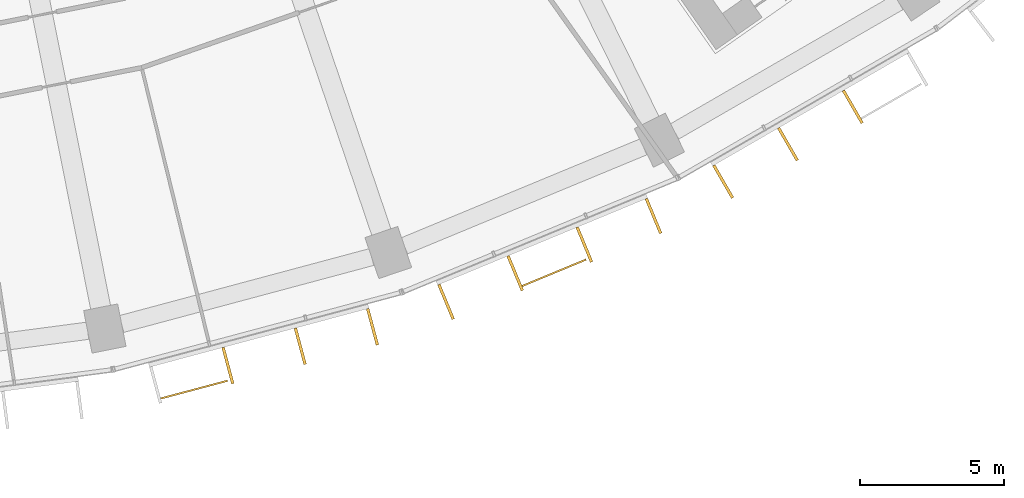
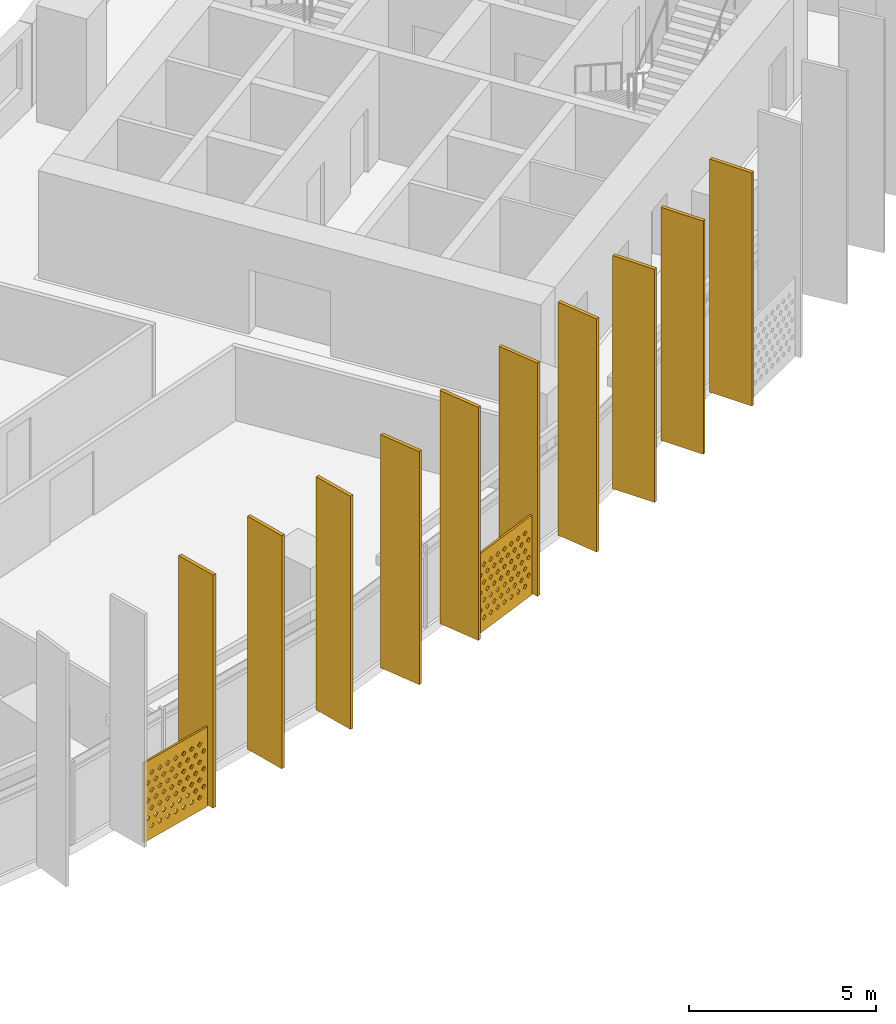
# One storey, part 28 of 30: 12 shading devices.
"""IFC4 building model written with IfcOpenShell, lengths in metres."""

from ifc_helpers import new_model, si_unit, direction, frame, origin, origin_2d, place, context, subcontext, project, spatial, polyline, rectangle, outline, extrude, material, material_profile, profile_set, type_object, element, save


model = new_model("IFC4")

# Units and contexts
model_context = context("Model", 3, precision=1e-05, world=origin(), true_north=direction((0.0, 1.0)))
body_context = subcontext(model_context, "Body", "Model", "MODEL_VIEW")
ifc_project = project(units=[si_unit("LENGTHUNIT", "METRE"), si_unit("AREAUNIT", "SQUARE_METRE"), si_unit("VOLUMEUNIT", "CUBIC_METRE"), si_unit("PLANEANGLEUNIT", "RADIAN"), si_unit("MASSUNIT", "GRAM", prefix="KILO")], contexts=[model_context])

# Site, building, storey
site_placement = place(None, origin())
site = spatial("IfcSite", under=ifc_project, at=site_placement, CompositionType="ELEMENT")
building_placement = place(site_placement, origin())
building = spatial("IfcBuilding", under=site, at=building_placement, Name="Qamariyya Broadcast Tower", CompositionType="ELEMENT")
storey_placement = place(building_placement, frame((0.0, 0.0, 117.699951171875)))
storey = spatial("IfcBuildingStorey", under=building, at=storey_placement, Name="L26", CompositionType="ELEMENT", Elevation=117.699951171875)

# Shading devices
ifc_material_1 = material(Name="Perforated glazed terracotta", Category="masonry")
ifc_material_profile_1 = material_profile(ifc_material_1, outline(polyline([(-1.199951171875, -1.300048828125), (1.199951171875, -1.300048828125), (1.199951171875, 1.300048828125), (-1.199951171875, 1.300048828125), (-1.199951171875, -1.300048828125)]), holes=[polyline([(-0.81494140625, -0.86669921875), (-0.89990234375, -0.78173828125), (-0.985107421875, -0.86669921875), (-0.89990234375, -0.95166015625), (-0.81494140625, -0.86669921875)]), polyline([(-0.514892578125, -0.86669921875), (-0.60009765625, -0.78173828125), (-0.68505859375, -0.86669921875), (-0.60009765625, -0.95166015625), (-0.514892578125, -0.86669921875)]), polyline([(-0.215087890625, -0.86669921875), (-0.300048828125, -0.78173828125), (-0.385009765625, -0.86669921875), (-0.300048828125, -0.95166015625), (-0.215087890625, -0.86669921875)]), polyline([(0.0849609375, -0.86669921875), (0.0, -0.78173828125), (-0.0849609375, -0.86669921875), (0.0, -0.95166015625), (0.0849609375, -0.86669921875)]), polyline([(0.385009765625, -0.86669921875), (0.300048828125, -0.78173828125), (0.215087890625, -0.86669921875), (0.300048828125, -0.95166015625), (0.385009765625, -0.86669921875)]), polyline([(0.68505859375, -0.86669921875), (0.60009765625, -0.78173828125), (0.514892578125, -0.86669921875), (0.60009765625, -0.95166015625), (0.68505859375, -0.86669921875)]), polyline([(0.985107421875, -0.86669921875), (0.89990234375, -0.78173828125), (0.81494140625, -0.86669921875), (0.89990234375, -0.95166015625), (0.985107421875, -0.86669921875)]), polyline([(-0.965087890625, -0.577880859375), (-1.050048828125, -0.49267578125), (-1.135009765625, -0.577880859375), (-1.050048828125, -0.662841796875), (-0.965087890625, -0.577880859375)]), polyline([(-0.6650390625, -0.577880859375), (-0.75, -0.49267578125), (-0.8349609375, -0.577880859375), (-0.75, -0.662841796875), (-0.6650390625, -0.577880859375)]), polyline([(-0.364990234375, -0.577880859375), (-0.449951171875, -0.49267578125), (-0.534912109375, -0.577880859375), (-0.449951171875, -0.662841796875), (-0.364990234375, -0.577880859375)]), polyline([(-0.06494140625, -0.577880859375), (-0.14990234375, -0.49267578125), (-0.235107421875, -0.577880859375), (-0.14990234375, -0.662841796875), (-0.06494140625, -0.577880859375)]), polyline([(0.235107421875, -0.577880859375), (0.14990234375, -0.49267578125), (0.06494140625, -0.577880859375), (0.14990234375, -0.662841796875), (0.235107421875, -0.577880859375)]), polyline([(0.534912109375, -0.577880859375), (0.449951171875, -0.49267578125), (0.364990234375, -0.577880859375), (0.449951171875, -0.662841796875), (0.534912109375, -0.577880859375)]), polyline([(0.8349609375, -0.577880859375), (0.75, -0.49267578125), (0.6650390625, -0.577880859375), (0.75, -0.662841796875), (0.8349609375, -0.577880859375)]), polyline([(1.135009765625, -0.577880859375), (1.050048828125, -0.49267578125), (0.965087890625, -0.577880859375), (1.050048828125, -0.662841796875), (1.135009765625, -0.577880859375)]), polyline([(-0.81494140625, -0.288818359375), (-0.89990234375, -0.203857421875), (-0.985107421875, -0.288818359375), (-0.89990234375, -0.373779296875), (-0.81494140625, -0.288818359375)]), polyline([(-0.514892578125, -0.288818359375), (-0.60009765625, -0.203857421875), (-0.68505859375, -0.288818359375), (-0.60009765625, -0.373779296875), (-0.514892578125, -0.288818359375)]), polyline([(-0.215087890625, -0.288818359375), (-0.300048828125, -0.203857421875), (-0.385009765625, -0.288818359375), (-0.300048828125, -0.373779296875), (-0.215087890625, -0.288818359375)]), polyline([(0.0849609375, -0.288818359375), (0.0, -0.203857421875), (-0.0849609375, -0.288818359375), (0.0, -0.373779296875), (0.0849609375, -0.288818359375)]), polyline([(0.385009765625, -0.288818359375), (0.300048828125, -0.203857421875), (0.215087890625, -0.288818359375), (0.300048828125, -0.373779296875), (0.385009765625, -0.288818359375)]), polyline([(0.68505859375, -0.288818359375), (0.60009765625, -0.203857421875), (0.514892578125, -0.288818359375), (0.60009765625, -0.373779296875), (0.68505859375, -0.288818359375)]), polyline([(0.985107421875, -0.288818359375), (0.89990234375, -0.203857421875), (0.81494140625, -0.288818359375), (0.89990234375, -0.373779296875), (0.985107421875, -0.288818359375)]), polyline([(-0.965087890625, 0.0), (-1.050048828125, 0.0849609375), (-1.135009765625, 0.0), (-1.050048828125, -0.0849609375), (-0.965087890625, 0.0)]), polyline([(-0.6650390625, 0.0), (-0.75, 0.0849609375), (-0.8349609375, 0.0), (-0.75, -0.0849609375), (-0.6650390625, 0.0)]), polyline([(-0.364990234375, 0.0), (-0.449951171875, 0.0849609375), (-0.534912109375, 0.0), (-0.449951171875, -0.0849609375), (-0.364990234375, 0.0)]), polyline([(-0.06494140625, 0.0), (-0.14990234375, 0.0849609375), (-0.235107421875, 0.0), (-0.14990234375, -0.0849609375), (-0.06494140625, 0.0)]), polyline([(0.235107421875, 0.0), (0.14990234375, 0.0849609375), (0.06494140625, 0.0), (0.14990234375, -0.0849609375), (0.235107421875, 0.0)]), polyline([(0.534912109375, 0.0), (0.449951171875, 0.0849609375), (0.364990234375, 0.0), (0.449951171875, -0.0849609375), (0.534912109375, 0.0)]), polyline([(0.8349609375, 0.0), (0.75, 0.0849609375), (0.6650390625, 0.0), (0.75, -0.0849609375), (0.8349609375, 0.0)]), polyline([(1.135009765625, 0.0), (1.050048828125, 0.0849609375), (0.965087890625, 0.0), (1.050048828125, -0.0849609375), (1.135009765625, 0.0)]), polyline([(-0.81494140625, 0.288818359375), (-0.89990234375, 0.373779296875), (-0.985107421875, 0.288818359375), (-0.89990234375, 0.203857421875), (-0.81494140625, 0.288818359375)]), polyline([(-0.514892578125, 0.288818359375), (-0.60009765625, 0.373779296875), (-0.68505859375, 0.288818359375), (-0.60009765625, 0.203857421875), (-0.514892578125, 0.288818359375)]), polyline([(-0.215087890625, 0.288818359375), (-0.300048828125, 0.373779296875), (-0.385009765625, 0.288818359375), (-0.300048828125, 0.203857421875), (-0.215087890625, 0.288818359375)]), polyline([(0.0849609375, 0.288818359375), (0.0, 0.373779296875), (-0.0849609375, 0.288818359375), (0.0, 0.203857421875), (0.0849609375, 0.288818359375)]), polyline([(0.385009765625, 0.288818359375), (0.300048828125, 0.373779296875), (0.215087890625, 0.288818359375), (0.300048828125, 0.203857421875), (0.385009765625, 0.288818359375)]), polyline([(0.68505859375, 0.288818359375), (0.60009765625, 0.373779296875), (0.514892578125, 0.288818359375), (0.60009765625, 0.203857421875), (0.68505859375, 0.288818359375)]), polyline([(0.985107421875, 0.288818359375), (0.89990234375, 0.373779296875), (0.81494140625, 0.288818359375), (0.89990234375, 0.203857421875), (0.985107421875, 0.288818359375)]), polyline([(-0.965087890625, 0.577880859375), (-1.050048828125, 0.662841796875), (-1.135009765625, 0.577880859375), (-1.050048828125, 0.49267578125), (-0.965087890625, 0.577880859375)]), polyline([(-0.6650390625, 0.577880859375), (-0.75, 0.662841796875), (-0.8349609375, 0.577880859375), (-0.75, 0.49267578125), (-0.6650390625, 0.577880859375)]), polyline([(-0.364990234375, 0.577880859375), (-0.449951171875, 0.662841796875), (-0.534912109375, 0.577880859375), (-0.449951171875, 0.49267578125), (-0.364990234375, 0.577880859375)]), polyline([(-0.06494140625, 0.577880859375), (-0.14990234375, 0.662841796875), (-0.235107421875, 0.577880859375), (-0.14990234375, 0.49267578125), (-0.06494140625, 0.577880859375)]), polyline([(0.235107421875, 0.577880859375), (0.14990234375, 0.662841796875), (0.06494140625, 0.577880859375), (0.14990234375, 0.49267578125), (0.235107421875, 0.577880859375)]), polyline([(0.534912109375, 0.577880859375), (0.449951171875, 0.662841796875), (0.364990234375, 0.577880859375), (0.449951171875, 0.49267578125), (0.534912109375, 0.577880859375)]), polyline([(0.8349609375, 0.577880859375), (0.75, 0.662841796875), (0.6650390625, 0.577880859375), (0.75, 0.49267578125), (0.8349609375, 0.577880859375)]), polyline([(1.135009765625, 0.577880859375), (1.050048828125, 0.662841796875), (0.965087890625, 0.577880859375), (1.050048828125, 0.49267578125), (1.135009765625, 0.577880859375)]), polyline([(-0.81494140625, 0.86669921875), (-0.89990234375, 0.95166015625), (-0.985107421875, 0.86669921875), (-0.89990234375, 0.78173828125), (-0.81494140625, 0.86669921875)]), polyline([(-0.514892578125, 0.86669921875), (-0.60009765625, 0.95166015625), (-0.68505859375, 0.86669921875), (-0.60009765625, 0.78173828125), (-0.514892578125, 0.86669921875)]), polyline([(-0.215087890625, 0.86669921875), (-0.300048828125, 0.95166015625), (-0.385009765625, 0.86669921875), (-0.300048828125, 0.78173828125), (-0.215087890625, 0.86669921875)]), polyline([(0.0849609375, 0.86669921875), (0.0, 0.95166015625), (-0.0849609375, 0.86669921875), (0.0, 0.78173828125), (0.0849609375, 0.86669921875)]), polyline([(0.385009765625, 0.86669921875), (0.300048828125, 0.95166015625), (0.215087890625, 0.86669921875), (0.300048828125, 0.78173828125), (0.385009765625, 0.86669921875)]), polyline([(0.68505859375, 0.86669921875), (0.60009765625, 0.95166015625), (0.514892578125, 0.86669921875), (0.60009765625, 0.78173828125), (0.68505859375, 0.86669921875)]), polyline([(0.985107421875, 0.86669921875), (0.89990234375, 0.95166015625), (0.81494140625, 0.86669921875), (0.89990234375, 0.78173828125), (0.985107421875, 0.86669921875)])]))
ifc_profile_set_1 = profile_set([ifc_material_profile_1], Name="Perforated glazed terracotta")
shading_device_type_1 = type_object("IfcShadingDeviceType", Name="Perforated terracotta screen 2400 x 2600", PredefinedType="USERDEFINED", material=ifc_profile_set_1)
shading_device_1_placement = place(storey_placement, frame((18.25927734375, -78.343994140625, 1.35009765625), z_axis=(0.256901156343, -0.966437683387, 0.0), x_axis=(0.966437683387, 0.256901156343, 0.0)))
element("IfcShadingDevice", 1, at=shading_device_1_placement, inside=storey, type_object=shading_device_type_1, Name="e-scr-L26-11-0", ObjectType="SCREEN", PredefinedType="USERDEFINED", context=body_context, shape_type="SweptSolid", body=[
    extrude(outline(polyline([(-1.199951171875, -1.300048828125), (1.199951171875, -1.300048828125), (1.199951171875, 1.300048828125), (-1.199951171875, 1.300048828125), (-1.199951171875, -1.300048828125)]), holes=[polyline([(-0.81494140625, -0.86669921875), (-0.89990234375, -0.78173828125), (-0.985107421875, -0.86669921875), (-0.89990234375, -0.95166015625), (-0.81494140625, -0.86669921875)]), polyline([(-0.514892578125, -0.86669921875), (-0.60009765625, -0.78173828125), (-0.68505859375, -0.86669921875), (-0.60009765625, -0.95166015625), (-0.514892578125, -0.86669921875)]), polyline([(-0.215087890625, -0.86669921875), (-0.300048828125, -0.78173828125), (-0.385009765625, -0.86669921875), (-0.300048828125, -0.95166015625), (-0.215087890625, -0.86669921875)]), polyline([(0.0849609375, -0.86669921875), (0.0, -0.78173828125), (-0.0849609375, -0.86669921875), (0.0, -0.95166015625), (0.0849609375, -0.86669921875)]), polyline([(0.385009765625, -0.86669921875), (0.300048828125, -0.78173828125), (0.215087890625, -0.86669921875), (0.300048828125, -0.95166015625), (0.385009765625, -0.86669921875)]), polyline([(0.68505859375, -0.86669921875), (0.60009765625, -0.78173828125), (0.514892578125, -0.86669921875), (0.60009765625, -0.95166015625), (0.68505859375, -0.86669921875)]), polyline([(0.985107421875, -0.86669921875), (0.89990234375, -0.78173828125), (0.81494140625, -0.86669921875), (0.89990234375, -0.95166015625), (0.985107421875, -0.86669921875)]), polyline([(-0.965087890625, -0.577880859375), (-1.050048828125, -0.49267578125), (-1.135009765625, -0.577880859375), (-1.050048828125, -0.662841796875), (-0.965087890625, -0.577880859375)]), polyline([(-0.6650390625, -0.577880859375), (-0.75, -0.49267578125), (-0.8349609375, -0.577880859375), (-0.75, -0.662841796875), (-0.6650390625, -0.577880859375)]), polyline([(-0.364990234375, -0.577880859375), (-0.449951171875, -0.49267578125), (-0.534912109375, -0.577880859375), (-0.449951171875, -0.662841796875), (-0.364990234375, -0.577880859375)]), polyline([(-0.06494140625, -0.577880859375), (-0.14990234375, -0.49267578125), (-0.235107421875, -0.577880859375), (-0.14990234375, -0.662841796875), (-0.06494140625, -0.577880859375)]), polyline([(0.235107421875, -0.577880859375), (0.14990234375, -0.49267578125), (0.06494140625, -0.577880859375), (0.14990234375, -0.662841796875), (0.235107421875, -0.577880859375)]), polyline([(0.534912109375, -0.577880859375), (0.449951171875, -0.49267578125), (0.364990234375, -0.577880859375), (0.449951171875, -0.662841796875), (0.534912109375, -0.577880859375)]), polyline([(0.8349609375, -0.577880859375), (0.75, -0.49267578125), (0.6650390625, -0.577880859375), (0.75, -0.662841796875), (0.8349609375, -0.577880859375)]), polyline([(1.135009765625, -0.577880859375), (1.050048828125, -0.49267578125), (0.965087890625, -0.577880859375), (1.050048828125, -0.662841796875), (1.135009765625, -0.577880859375)]), polyline([(-0.81494140625, -0.288818359375), (-0.89990234375, -0.203857421875), (-0.985107421875, -0.288818359375), (-0.89990234375, -0.373779296875), (-0.81494140625, -0.288818359375)]), polyline([(-0.514892578125, -0.288818359375), (-0.60009765625, -0.203857421875), (-0.68505859375, -0.288818359375), (-0.60009765625, -0.373779296875), (-0.514892578125, -0.288818359375)]), polyline([(-0.215087890625, -0.288818359375), (-0.300048828125, -0.203857421875), (-0.385009765625, -0.288818359375), (-0.300048828125, -0.373779296875), (-0.215087890625, -0.288818359375)]), polyline([(0.0849609375, -0.288818359375), (0.0, -0.203857421875), (-0.0849609375, -0.288818359375), (0.0, -0.373779296875), (0.0849609375, -0.288818359375)]), polyline([(0.385009765625, -0.288818359375), (0.300048828125, -0.203857421875), (0.215087890625, -0.288818359375), (0.300048828125, -0.373779296875), (0.385009765625, -0.288818359375)]), polyline([(0.68505859375, -0.288818359375), (0.60009765625, -0.203857421875), (0.514892578125, -0.288818359375), (0.60009765625, -0.373779296875), (0.68505859375, -0.288818359375)]), polyline([(0.985107421875, -0.288818359375), (0.89990234375, -0.203857421875), (0.81494140625, -0.288818359375), (0.89990234375, -0.373779296875), (0.985107421875, -0.288818359375)]), polyline([(-0.965087890625, 0.0), (-1.050048828125, 0.0849609375), (-1.135009765625, 0.0), (-1.050048828125, -0.0849609375), (-0.965087890625, 0.0)]), polyline([(-0.6650390625, 0.0), (-0.75, 0.0849609375), (-0.8349609375, 0.0), (-0.75, -0.0849609375), (-0.6650390625, 0.0)]), polyline([(-0.364990234375, 0.0), (-0.449951171875, 0.0849609375), (-0.534912109375, 0.0), (-0.449951171875, -0.0849609375), (-0.364990234375, 0.0)]), polyline([(-0.06494140625, 0.0), (-0.14990234375, 0.0849609375), (-0.235107421875, 0.0), (-0.14990234375, -0.0849609375), (-0.06494140625, 0.0)]), polyline([(0.235107421875, 0.0), (0.14990234375, 0.0849609375), (0.06494140625, 0.0), (0.14990234375, -0.0849609375), (0.235107421875, 0.0)]), polyline([(0.534912109375, 0.0), (0.449951171875, 0.0849609375), (0.364990234375, 0.0), (0.449951171875, -0.0849609375), (0.534912109375, 0.0)]), polyline([(0.8349609375, 0.0), (0.75, 0.0849609375), (0.6650390625, 0.0), (0.75, -0.0849609375), (0.8349609375, 0.0)]), polyline([(1.135009765625, 0.0), (1.050048828125, 0.0849609375), (0.965087890625, 0.0), (1.050048828125, -0.0849609375), (1.135009765625, 0.0)]), polyline([(-0.81494140625, 0.288818359375), (-0.89990234375, 0.373779296875), (-0.985107421875, 0.288818359375), (-0.89990234375, 0.203857421875), (-0.81494140625, 0.288818359375)]), polyline([(-0.514892578125, 0.288818359375), (-0.60009765625, 0.373779296875), (-0.68505859375, 0.288818359375), (-0.60009765625, 0.203857421875), (-0.514892578125, 0.288818359375)]), polyline([(-0.215087890625, 0.288818359375), (-0.300048828125, 0.373779296875), (-0.385009765625, 0.288818359375), (-0.300048828125, 0.203857421875), (-0.215087890625, 0.288818359375)]), polyline([(0.0849609375, 0.288818359375), (0.0, 0.373779296875), (-0.0849609375, 0.288818359375), (0.0, 0.203857421875), (0.0849609375, 0.288818359375)]), polyline([(0.385009765625, 0.288818359375), (0.300048828125, 0.373779296875), (0.215087890625, 0.288818359375), (0.300048828125, 0.203857421875), (0.385009765625, 0.288818359375)]), polyline([(0.68505859375, 0.288818359375), (0.60009765625, 0.373779296875), (0.514892578125, 0.288818359375), (0.60009765625, 0.203857421875), (0.68505859375, 0.288818359375)]), polyline([(0.985107421875, 0.288818359375), (0.89990234375, 0.373779296875), (0.81494140625, 0.288818359375), (0.89990234375, 0.203857421875), (0.985107421875, 0.288818359375)]), polyline([(-0.965087890625, 0.577880859375), (-1.050048828125, 0.662841796875), (-1.135009765625, 0.577880859375), (-1.050048828125, 0.49267578125), (-0.965087890625, 0.577880859375)]), polyline([(-0.6650390625, 0.577880859375), (-0.75, 0.662841796875), (-0.8349609375, 0.577880859375), (-0.75, 0.49267578125), (-0.6650390625, 0.577880859375)]), polyline([(-0.364990234375, 0.577880859375), (-0.449951171875, 0.662841796875), (-0.534912109375, 0.577880859375), (-0.449951171875, 0.49267578125), (-0.364990234375, 0.577880859375)]), polyline([(-0.06494140625, 0.577880859375), (-0.14990234375, 0.662841796875), (-0.235107421875, 0.577880859375), (-0.14990234375, 0.49267578125), (-0.06494140625, 0.577880859375)]), polyline([(0.235107421875, 0.577880859375), (0.14990234375, 0.662841796875), (0.06494140625, 0.577880859375), (0.14990234375, 0.49267578125), (0.235107421875, 0.577880859375)]), polyline([(0.534912109375, 0.577880859375), (0.449951171875, 0.662841796875), (0.364990234375, 0.577880859375), (0.449951171875, 0.49267578125), (0.534912109375, 0.577880859375)]), polyline([(0.8349609375, 0.577880859375), (0.75, 0.662841796875), (0.6650390625, 0.577880859375), (0.75, 0.49267578125), (0.8349609375, 0.577880859375)]), polyline([(1.135009765625, 0.577880859375), (1.050048828125, 0.662841796875), (0.965087890625, 0.577880859375), (1.050048828125, 0.49267578125), (1.135009765625, 0.577880859375)]), polyline([(-0.81494140625, 0.86669921875), (-0.89990234375, 0.95166015625), (-0.985107421875, 0.86669921875), (-0.89990234375, 0.78173828125), (-0.81494140625, 0.86669921875)]), polyline([(-0.514892578125, 0.86669921875), (-0.60009765625, 0.95166015625), (-0.68505859375, 0.86669921875), (-0.60009765625, 0.78173828125), (-0.514892578125, 0.86669921875)]), polyline([(-0.215087890625, 0.86669921875), (-0.300048828125, 0.95166015625), (-0.385009765625, 0.86669921875), (-0.300048828125, 0.78173828125), (-0.215087890625, 0.86669921875)]), polyline([(0.0849609375, 0.86669921875), (0.0, 0.95166015625), (-0.0849609375, 0.86669921875), (0.0, 0.78173828125), (0.0849609375, 0.86669921875)]), polyline([(0.385009765625, 0.86669921875), (0.300048828125, 0.95166015625), (0.215087890625, 0.86669921875), (0.300048828125, 0.78173828125), (0.385009765625, 0.86669921875)]), polyline([(0.68505859375, 0.86669921875), (0.60009765625, 0.95166015625), (0.514892578125, 0.86669921875), (0.60009765625, 0.78173828125), (0.68505859375, 0.86669921875)]), polyline([(0.985107421875, 0.86669921875), (0.89990234375, 0.95166015625), (0.81494140625, 0.86669921875), (0.89990234375, 0.78173828125), (0.985107421875, 0.86669921875)])]), origin(), (0.0, 0.0, 1.0), 0.059814453125),
])
shading_device_2_placement = place(storey_placement, frame((30.724853515625, -74.2978515625, 1.35009765625), z_axis=(0.382591441855, -0.923917630863, 0.0), x_axis=(0.923917630863, 0.382591441855, 0.0)))
element("IfcShadingDevice", 2, at=shading_device_2_placement, inside=storey, type_object=shading_device_type_1, Name="e-scr-L26-12-1", ObjectType="SCREEN", PredefinedType="USERDEFINED", context=body_context, shape_type="SweptSolid", body=[
    extrude(outline(polyline([(-1.199951171875, -1.300048828125), (1.199951171875, -1.300048828125), (1.199951171875, 1.300048828125), (-1.199951171875, 1.300048828125), (-1.199951171875, -1.300048828125)]), holes=[polyline([(-0.81494140625, -0.86669921875), (-0.89990234375, -0.78173828125), (-0.985107421875, -0.86669921875), (-0.89990234375, -0.95166015625), (-0.81494140625, -0.86669921875)]), polyline([(-0.514892578125, -0.86669921875), (-0.60009765625, -0.78173828125), (-0.68505859375, -0.86669921875), (-0.60009765625, -0.95166015625), (-0.514892578125, -0.86669921875)]), polyline([(-0.215087890625, -0.86669921875), (-0.300048828125, -0.78173828125), (-0.385009765625, -0.86669921875), (-0.300048828125, -0.95166015625), (-0.215087890625, -0.86669921875)]), polyline([(0.0849609375, -0.86669921875), (0.0, -0.78173828125), (-0.0849609375, -0.86669921875), (0.0, -0.95166015625), (0.0849609375, -0.86669921875)]), polyline([(0.385009765625, -0.86669921875), (0.300048828125, -0.78173828125), (0.215087890625, -0.86669921875), (0.300048828125, -0.95166015625), (0.385009765625, -0.86669921875)]), polyline([(0.68505859375, -0.86669921875), (0.60009765625, -0.78173828125), (0.514892578125, -0.86669921875), (0.60009765625, -0.95166015625), (0.68505859375, -0.86669921875)]), polyline([(0.985107421875, -0.86669921875), (0.89990234375, -0.78173828125), (0.81494140625, -0.86669921875), (0.89990234375, -0.95166015625), (0.985107421875, -0.86669921875)]), polyline([(-0.965087890625, -0.577880859375), (-1.050048828125, -0.49267578125), (-1.135009765625, -0.577880859375), (-1.050048828125, -0.662841796875), (-0.965087890625, -0.577880859375)]), polyline([(-0.6650390625, -0.577880859375), (-0.75, -0.49267578125), (-0.8349609375, -0.577880859375), (-0.75, -0.662841796875), (-0.6650390625, -0.577880859375)]), polyline([(-0.364990234375, -0.577880859375), (-0.449951171875, -0.49267578125), (-0.534912109375, -0.577880859375), (-0.449951171875, -0.662841796875), (-0.364990234375, -0.577880859375)]), polyline([(-0.06494140625, -0.577880859375), (-0.14990234375, -0.49267578125), (-0.235107421875, -0.577880859375), (-0.14990234375, -0.662841796875), (-0.06494140625, -0.577880859375)]), polyline([(0.235107421875, -0.577880859375), (0.14990234375, -0.49267578125), (0.06494140625, -0.577880859375), (0.14990234375, -0.662841796875), (0.235107421875, -0.577880859375)]), polyline([(0.534912109375, -0.577880859375), (0.449951171875, -0.49267578125), (0.364990234375, -0.577880859375), (0.449951171875, -0.662841796875), (0.534912109375, -0.577880859375)]), polyline([(0.8349609375, -0.577880859375), (0.75, -0.49267578125), (0.6650390625, -0.577880859375), (0.75, -0.662841796875), (0.8349609375, -0.577880859375)]), polyline([(1.135009765625, -0.577880859375), (1.050048828125, -0.49267578125), (0.965087890625, -0.577880859375), (1.050048828125, -0.662841796875), (1.135009765625, -0.577880859375)]), polyline([(-0.81494140625, -0.288818359375), (-0.89990234375, -0.203857421875), (-0.985107421875, -0.288818359375), (-0.89990234375, -0.373779296875), (-0.81494140625, -0.288818359375)]), polyline([(-0.514892578125, -0.288818359375), (-0.60009765625, -0.203857421875), (-0.68505859375, -0.288818359375), (-0.60009765625, -0.373779296875), (-0.514892578125, -0.288818359375)]), polyline([(-0.215087890625, -0.288818359375), (-0.300048828125, -0.203857421875), (-0.385009765625, -0.288818359375), (-0.300048828125, -0.373779296875), (-0.215087890625, -0.288818359375)]), polyline([(0.0849609375, -0.288818359375), (0.0, -0.203857421875), (-0.0849609375, -0.288818359375), (0.0, -0.373779296875), (0.0849609375, -0.288818359375)]), polyline([(0.385009765625, -0.288818359375), (0.300048828125, -0.203857421875), (0.215087890625, -0.288818359375), (0.300048828125, -0.373779296875), (0.385009765625, -0.288818359375)]), polyline([(0.68505859375, -0.288818359375), (0.60009765625, -0.203857421875), (0.514892578125, -0.288818359375), (0.60009765625, -0.373779296875), (0.68505859375, -0.288818359375)]), polyline([(0.985107421875, -0.288818359375), (0.89990234375, -0.203857421875), (0.81494140625, -0.288818359375), (0.89990234375, -0.373779296875), (0.985107421875, -0.288818359375)]), polyline([(-0.965087890625, 0.0), (-1.050048828125, 0.0849609375), (-1.135009765625, 0.0), (-1.050048828125, -0.0849609375), (-0.965087890625, 0.0)]), polyline([(-0.6650390625, 0.0), (-0.75, 0.0849609375), (-0.8349609375, 0.0), (-0.75, -0.0849609375), (-0.6650390625, 0.0)]), polyline([(-0.364990234375, 0.0), (-0.449951171875, 0.0849609375), (-0.534912109375, 0.0), (-0.449951171875, -0.0849609375), (-0.364990234375, 0.0)]), polyline([(-0.06494140625, 0.0), (-0.14990234375, 0.0849609375), (-0.235107421875, 0.0), (-0.14990234375, -0.0849609375), (-0.06494140625, 0.0)]), polyline([(0.235107421875, 0.0), (0.14990234375, 0.0849609375), (0.06494140625, 0.0), (0.14990234375, -0.0849609375), (0.235107421875, 0.0)]), polyline([(0.534912109375, 0.0), (0.449951171875, 0.0849609375), (0.364990234375, 0.0), (0.449951171875, -0.0849609375), (0.534912109375, 0.0)]), polyline([(0.8349609375, 0.0), (0.75, 0.0849609375), (0.6650390625, 0.0), (0.75, -0.0849609375), (0.8349609375, 0.0)]), polyline([(1.135009765625, 0.0), (1.050048828125, 0.0849609375), (0.965087890625, 0.0), (1.050048828125, -0.0849609375), (1.135009765625, 0.0)]), polyline([(-0.81494140625, 0.288818359375), (-0.89990234375, 0.373779296875), (-0.985107421875, 0.288818359375), (-0.89990234375, 0.203857421875), (-0.81494140625, 0.288818359375)]), polyline([(-0.514892578125, 0.288818359375), (-0.60009765625, 0.373779296875), (-0.68505859375, 0.288818359375), (-0.60009765625, 0.203857421875), (-0.514892578125, 0.288818359375)]), polyline([(-0.215087890625, 0.288818359375), (-0.300048828125, 0.373779296875), (-0.385009765625, 0.288818359375), (-0.300048828125, 0.203857421875), (-0.215087890625, 0.288818359375)]), polyline([(0.0849609375, 0.288818359375), (0.0, 0.373779296875), (-0.0849609375, 0.288818359375), (0.0, 0.203857421875), (0.0849609375, 0.288818359375)]), polyline([(0.385009765625, 0.288818359375), (0.300048828125, 0.373779296875), (0.215087890625, 0.288818359375), (0.300048828125, 0.203857421875), (0.385009765625, 0.288818359375)]), polyline([(0.68505859375, 0.288818359375), (0.60009765625, 0.373779296875), (0.514892578125, 0.288818359375), (0.60009765625, 0.203857421875), (0.68505859375, 0.288818359375)]), polyline([(0.985107421875, 0.288818359375), (0.89990234375, 0.373779296875), (0.81494140625, 0.288818359375), (0.89990234375, 0.203857421875), (0.985107421875, 0.288818359375)]), polyline([(-0.965087890625, 0.577880859375), (-1.050048828125, 0.662841796875), (-1.135009765625, 0.577880859375), (-1.050048828125, 0.49267578125), (-0.965087890625, 0.577880859375)]), polyline([(-0.6650390625, 0.577880859375), (-0.75, 0.662841796875), (-0.8349609375, 0.577880859375), (-0.75, 0.49267578125), (-0.6650390625, 0.577880859375)]), polyline([(-0.364990234375, 0.577880859375), (-0.449951171875, 0.662841796875), (-0.534912109375, 0.577880859375), (-0.449951171875, 0.49267578125), (-0.364990234375, 0.577880859375)]), polyline([(-0.06494140625, 0.577880859375), (-0.14990234375, 0.662841796875), (-0.235107421875, 0.577880859375), (-0.14990234375, 0.49267578125), (-0.06494140625, 0.577880859375)]), polyline([(0.235107421875, 0.577880859375), (0.14990234375, 0.662841796875), (0.06494140625, 0.577880859375), (0.14990234375, 0.49267578125), (0.235107421875, 0.577880859375)]), polyline([(0.534912109375, 0.577880859375), (0.449951171875, 0.662841796875), (0.364990234375, 0.577880859375), (0.449951171875, 0.49267578125), (0.534912109375, 0.577880859375)]), polyline([(0.8349609375, 0.577880859375), (0.75, 0.662841796875), (0.6650390625, 0.577880859375), (0.75, 0.49267578125), (0.8349609375, 0.577880859375)]), polyline([(1.135009765625, 0.577880859375), (1.050048828125, 0.662841796875), (0.965087890625, 0.577880859375), (1.050048828125, 0.49267578125), (1.135009765625, 0.577880859375)]), polyline([(-0.81494140625, 0.86669921875), (-0.89990234375, 0.95166015625), (-0.985107421875, 0.86669921875), (-0.89990234375, 0.78173828125), (-0.81494140625, 0.86669921875)]), polyline([(-0.514892578125, 0.86669921875), (-0.60009765625, 0.95166015625), (-0.68505859375, 0.86669921875), (-0.60009765625, 0.78173828125), (-0.514892578125, 0.86669921875)]), polyline([(-0.215087890625, 0.86669921875), (-0.300048828125, 0.95166015625), (-0.385009765625, 0.86669921875), (-0.300048828125, 0.78173828125), (-0.215087890625, 0.86669921875)]), polyline([(0.0849609375, 0.86669921875), (0.0, 0.95166015625), (-0.0849609375, 0.86669921875), (0.0, 0.78173828125), (0.0849609375, 0.86669921875)]), polyline([(0.385009765625, 0.86669921875), (0.300048828125, 0.95166015625), (0.215087890625, 0.86669921875), (0.300048828125, 0.78173828125), (0.385009765625, 0.86669921875)]), polyline([(0.68505859375, 0.86669921875), (0.60009765625, 0.95166015625), (0.514892578125, 0.86669921875), (0.60009765625, 0.78173828125), (0.68505859375, 0.86669921875)]), polyline([(0.985107421875, 0.86669921875), (0.89990234375, 0.95166015625), (0.81494140625, 0.86669921875), (0.89990234375, 0.78173828125), (0.985107421875, 0.86669921875)])]), origin(), (0.0, 0.0, 1.0), 0.06005859375),
])
ifc_material_2 = material(Name="Glazed terracotta", Category="masonry")
ifc_material_profile_2 = material_profile(ifc_material_2, rectangle(XDim=1.300048828125, YDim=0.10009765625, at=origin_2d()))
ifc_profile_set_2 = profile_set([ifc_material_profile_2], Name="Glazed terracotta")
shading_device_type_2 = type_object("IfcShadingDeviceType", Name="Terracotta fin 100 x 1300", PredefinedType="USERDEFINED", material=ifc_profile_set_2)
for number, where, z_axis, x_axis, name in (
    (3, (19.43505859375, -77.542236328125, 0.0), (0.0, 0.0, 1.0), (0.258819045103, -0.965925826289, 0.0), "e-fin-L26-11-1"),
    (4, (21.93994140625, -76.87109375, 0.0), (0.0, 0.0, 1.0), (0.258819045103, -0.965925826289, 0.0), "e-fin-L26-11-2"),
    (5, (24.44482421875, -76.199951171875, 0.0), (0.0, 0.0, 1.0), (0.258819045103, -0.965925826289, 0.0), "e-fin-L26-11-3"),
    (6, (26.994140625, -75.33447265625, 0.0), (0.0, 0.0, 1.0), (0.382683432365, -0.923879532511, 0.0), "e-fin-L26-12-0"),
    (7, (29.39013671875, -74.342041015625, 0.0), (0.0, 0.0, 1.0), (0.382683432365, -0.923879532511, 0.0), "e-fin-L26-12-1"),
    (8, (31.785888671875, -73.349609375, 0.0), (0.0, 0.0, 1.0), (0.382683432365, -0.923879532511, 0.0), "e-fin-L26-12-2"),
    (9, (34.181640625, -72.357421875, 0.0), (0.0, 0.0, 1.0), (0.382683432365, -0.923879532511, 0.0), "e-fin-L26-12-3"),
    (10, (36.596435546875, -71.16650390625, 0.0), (0.0, 0.0, 1.0), (0.5, -0.866025403784, 0.0), "e-fin-L26-13-0"),
    (11, (38.84228515625, -69.869873046875, 0.0), (0.0, 0.0, 1.0), (0.5, -0.866025403784, 0.0), "e-fin-L26-13-1"),
    (12, (41.087890625, -68.5732421875, 0.0), (0.0, 0.0, 1.0), (0.5, -0.866025403784, 0.0), "e-fin-L26-13-2"),
):
    element("IfcShadingDevice", number, at=place(storey_placement, frame(where, z_axis=z_axis, x_axis=x_axis)), inside=storey, type_object=shading_device_type_2, Name=name, ObjectType="FIN", PredefinedType="USERDEFINED", context=body_context, shape_type="SweptSolid", body=[
        extrude(rectangle(XDim=1.300048828125, YDim=0.10009765625, at=origin_2d()), origin(), (0.0, 0.0, 1.0), 7.60009765625),
    ])

save(model, "model.ifc")
